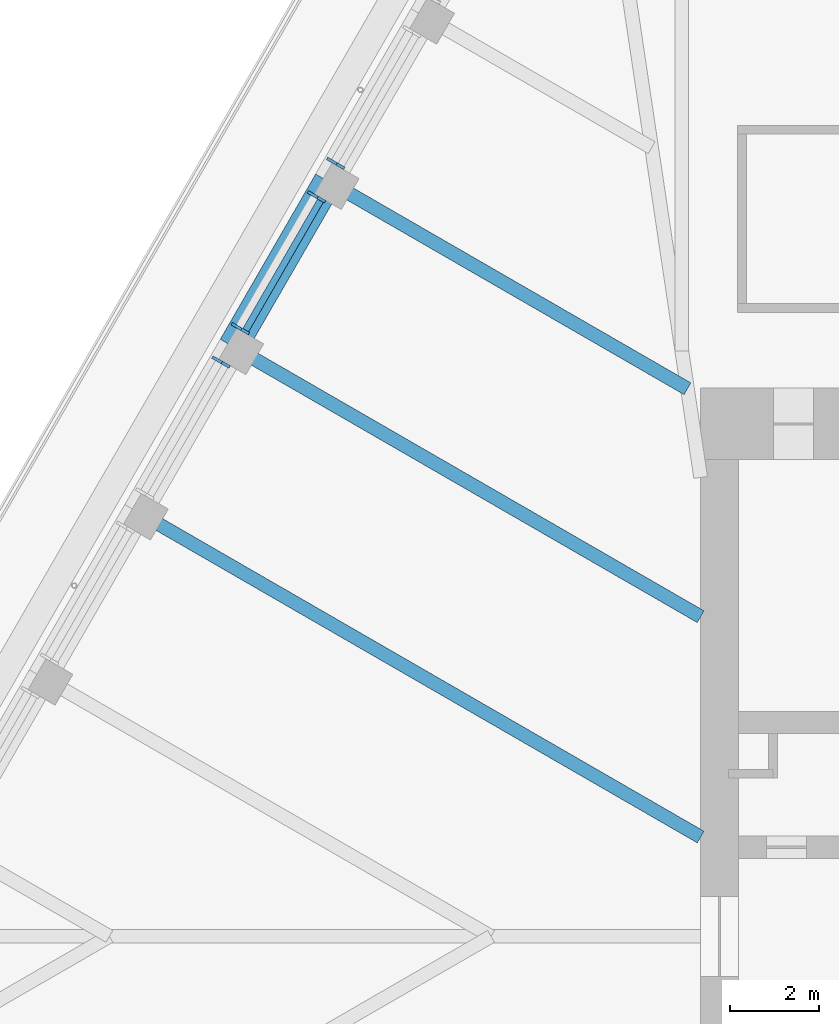
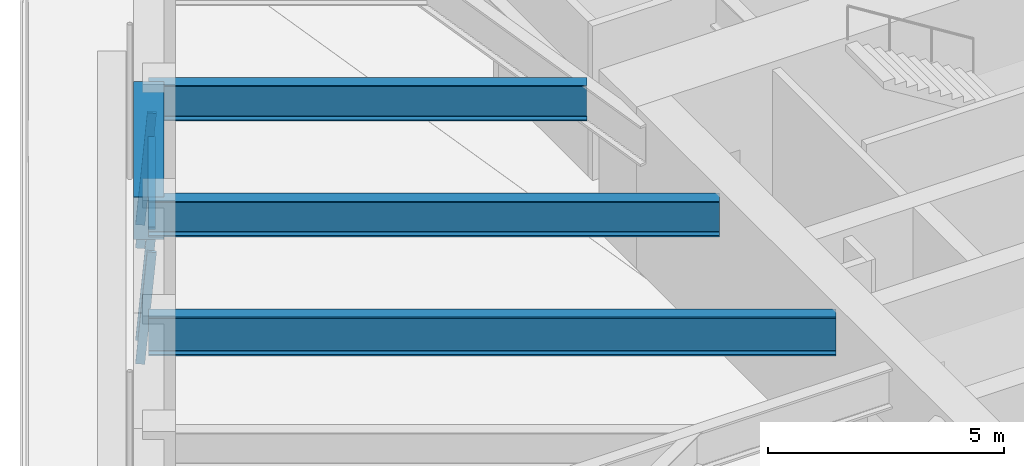
# One storey, part 7 of 19: 5 members, 4 beams, 3 elements without a shape of their own.
"""IFC4 building model written with IfcOpenShell, lengths in metres."""

from ifc_helpers import new_model, si_unit, direction, frame, origin, origin_2d, place, context, subcontext, project, spatial, rectangle, i_section, extrude, material, material_profile, profile_set, type_object, element, aggregate, save


model = new_model("IFC4")

# Units and contexts
model_context = context("Model", 3, precision=1e-05, world=origin(), true_north=direction((0.0, 1.0)))
body_context = subcontext(model_context, "Body", "Model", "MODEL_VIEW")
ifc_project = project(units=[si_unit("LENGTHUNIT", "METRE"), si_unit("AREAUNIT", "SQUARE_METRE"), si_unit("VOLUMEUNIT", "CUBIC_METRE"), si_unit("PLANEANGLEUNIT", "RADIAN"), si_unit("MASSUNIT", "GRAM", prefix="KILO")], contexts=[model_context])

# Site, building, storey
site_placement = place(None, origin())
site = spatial("IfcSite", under=ifc_project, at=site_placement, CompositionType="ELEMENT")
building_placement = place(site_placement, origin())
building = spatial("IfcBuilding", under=site, at=building_placement, Name="Tarfa Lantern Tower", CompositionType="ELEMENT")
storey_placement = place(building_placement, frame((0.0, 0.0, 374.5)))
storey = spatial("IfcBuildingStorey", under=building, at=storey_placement, Name="L85", CompositionType="ELEMENT", Elevation=374.5)

# Curtain wall, member
ifc_material_1 = material(Name="Aluminium framed curtain wall", Category="aluminium")
curtain_wall_type = type_object("IfcCurtainWallType", Name="CW4 CANTED GLAZING EXECUTIVE ZONE 2900", PredefinedType="USERDEFINED", material=ifc_material_1)
curtain_wall_1_placement = place(storey_placement, origin())
curtain_wall_1 = element("IfcCurtainWall", 1, at=curtain_wall_1_placement, inside=storey, type_object=curtain_wall_type, Name="CW4 NW L85", ObjectType="CURTAIN WALL", PredefinedType="USERDEFINED")
ifc_material_2 = material(Name="Aluminium mullion", Category="aluminium")
ifc_material_profile_1 = material_profile(ifc_material_2, rectangle(XDim=0.06494140625, YDim=0.199951171875, at=origin_2d()), Name="AL MULLION 65x200")
ifc_profile_set_1 = profile_set([ifc_material_profile_1], Name="Aluminium mullion")
member_type_1 = type_object("IfcMemberType", Name="CWM1 MULLION 65x200", PredefinedType="MULLION", material=ifc_profile_set_1)
member_1_placement = place(storey_placement, frame((-20.722412109375, 17.407958984375, 0.0), z_axis=(0.074399820079, -0.042945555672, 0.996303340364), x_axis=(0.499919672301, 0.866071776036, 0.0)))
member_1 = element("IfcMember", 2, at=member_1_placement, type_object=member_type_1, Name="CW4 mullion 2", PredefinedType="MULLION", context=body_context, shape_type="SweptSolid", body=[
    extrude(rectangle(XDim=0.06494140625, YDim=0.199951171875, at=origin_2d()), origin(), (0.0, 0.0, 1.0), 2.91064453125),
])
aggregate(curtain_wall_1, [member_1])

# Curtain wall, members
curtain_wall_2_placement = place(storey_placement, origin())
curtain_wall_2 = element("IfcCurtainWall", 3, at=curtain_wall_2_placement, inside=storey, type_object=curtain_wall_type, Name="CW4 NW L85", ObjectType="CURTAIN WALL", PredefinedType="USERDEFINED")
member_2_placement = place(storey_placement, frame((-21.15478515625, 16.65869140625, 0.0), z_axis=(0.074399820079, -0.042945555672, 0.996303340364), x_axis=(0.499919672301, 0.866071776036, 0.0)))
member_2 = element("IfcMember", 4, at=member_2_placement, type_object=member_type_1, Name="CW4 mullion 1", PredefinedType="MULLION", context=body_context, shape_type="SweptSolid", body=[
    extrude(rectangle(XDim=0.06494140625, YDim=0.199951171875, at=origin_2d()), origin(), (0.0, 0.0, 1.0), 2.91064453125),
])
member_3_placement = place(storey_placement, frame((-22.86328125, 13.699462890625, 0.0), z_axis=(0.074399820079, -0.042945555672, 0.996303340364), x_axis=(0.499919672301, 0.866071776036, 0.0)))
member_3 = element("IfcMember", 5, at=member_3_placement, type_object=member_type_1, Name="CW4 mullion 2", PredefinedType="MULLION", context=body_context, shape_type="SweptSolid", body=[
    extrude(rectangle(XDim=0.06494140625, YDim=0.199951171875, at=origin_2d()), origin(), (0.0, 0.0, 1.0), 2.91064453125),
])

# Curtain wall, member
curtain_wall_3_placement = place(storey_placement, origin())
curtain_wall_3 = element("IfcCurtainWall", 6, at=curtain_wall_3_placement, inside=storey, type_object=curtain_wall_type, Name="CW4 NW L85", ObjectType="CURTAIN WALL", PredefinedType="USERDEFINED")
member_4_placement = place(storey_placement, frame((-23.2958984375, 12.950439453125, 0.0), z_axis=(0.074399820079, -0.042945555672, 0.996303340364), x_axis=(0.499919672301, 0.866071776036, 0.0)))
member_4 = element("IfcMember", 7, at=member_4_placement, type_object=member_type_1, Name="CW4 mullion 1", PredefinedType="MULLION", context=body_context, shape_type="SweptSolid", body=[
    extrude(rectangle(XDim=0.06494140625, YDim=0.199951171875, at=origin_2d()), origin(), (0.0, 0.0, 1.0), 2.91064453125),
])
aggregate(curtain_wall_3, [member_4])

# Member
ifc_material_3 = material(Name="Aluminium transom", Category="aluminium")
ifc_material_profile_2 = material_profile(ifc_material_3, rectangle(XDim=0.14990234375, YDim=0.06494140625, at=origin_2d()), Name="AL TRANSOM 150x65")
ifc_profile_set_2 = profile_set([ifc_material_profile_2], Name="Aluminium transom")
member_type_2 = type_object("IfcMemberType", Name="CWT1 TRANSOM 150x65", PredefinedType="USERDEFINED", material=ifc_profile_set_2)
member_5_placement = place(storey_placement, frame((-20.95703125, 16.507080078125, 2.867431640625), z_axis=(-0.499985139611, -0.866033983264, 0.0), x_axis=(0.866033983264, -0.499985139611, 0.0)))
member_5 = element("IfcMember", 8, at=member_5_placement, type_object=member_type_2, Name="CW4 transom 1.2", ObjectType="TRANSOM", PredefinedType="USERDEFINED", context=body_context, shape_type="SweptSolid", body=[
    extrude(rectangle(XDim=0.14990234375, YDim=0.06494140625, at=origin_2d()), origin(), (0.0, 0.0, 1.0), 3.35205078125),
])

aggregate(curtain_wall_2, [member_2, member_3, member_5])

# Beams
ifc_material_4 = material(Name="Concrete C80/95", Category="concrete")
ifc_material_profile_3 = material_profile(ifc_material_4, rectangle(XDim=0.64990234375, YDim=1.10009765625, at=origin_2d()), Name="RC 650x1100")
ifc_profile_set_3 = profile_set([ifc_material_profile_3], Name="Concrete C80/95")
beam_type_1 = type_object("IfcBeamType", Name="EB4 RC 650x1100", PredefinedType="SPANDREL", material=ifc_profile_set_3)
beam_1_placement = place(storey_placement, frame((-20.78271484375, 16.943359375, 3.449951171875), z_axis=(-0.499984039138, -0.866034618596, 0.0), x_axis=(0.866034618596, -0.499984039138, 0.0)))
element("IfcBeam", 9, at=beam_1_placement, inside=storey, type_object=beam_type_1, Name="Edge beam NW2", PredefinedType="SPANDREL", context=body_context, shape_type="SweptSolid", body=[
    extrude(rectangle(XDim=0.64990234375, YDim=1.10009765625, at=origin_2d()), origin(), (0.0, 0.0, 1.0), 4.281982421875),
])
ifc_material_5 = material(Name="Steel S460M", Category="steel")
ifc_material_profile_4 = material_profile(ifc_material_5, i_section(OverallWidth=0.302001953125, OverallDepth=1.008056640625, WebThickness=0.02099609375, FlangeThickness=0.0400390625, FilletRadius=0.030029296875, at=origin_2d()), Name="UB1016x305x349")
ifc_profile_set_4 = profile_set([ifc_material_profile_4], Name="Steel S460M")
beam_type_2 = type_object("IfcBeamType", Name="UB1016x305x349", PredefinedType="BEAM", material=ifc_profile_set_4)
beam_2_placement = place(storey_placement, frame((-25.064697265625, 9.526611328125, 3.495849609375), z_axis=(0.866029591389, -0.499992746786, 0.0), x_axis=(0.499992746786, 0.866029591389, 0.0)))
element("IfcBeam", 10, at=beam_2_placement, inside=storey, type_object=beam_type_2, Name="Floor beam NW4", PredefinedType="BEAM", context=body_context, shape_type="SweptSolid", body=[
    extrude(i_section(OverallWidth=0.302001953125, OverallDepth=1.008056640625, WebThickness=0.02099609375, FlangeThickness=0.0400390625, FilletRadius=0.030029296875, at=origin_2d()), origin(), (0.0, 0.0, 1.0), 14.594970703125),
])
ifc_material_profile_5 = material_profile(ifc_material_5, i_section(OverallWidth=0.305419921875, OverallDepth=0.91845703125, WebThickness=0.017333984375, FlangeThickness=0.02783203125, FilletRadius=0.01904296875, at=origin_2d()), Name="UB914x305x253")
ifc_profile_set_5 = profile_set([ifc_material_profile_5], Name="Steel S460M")
beam_type_3 = type_object("IfcBeamType", Name="UB914x305x253", PredefinedType="BEAM", material=ifc_profile_set_5)
beam_3_placement = place(storey_placement, frame((-20.78271484375, 16.943359375, 3.540771484375), z_axis=(0.866021806508, -0.500006230613, 0.0), x_axis=(0.500006230613, 0.866021806508, 0.0)))
element("IfcBeam", 11, at=beam_3_placement, inside=storey, type_object=beam_type_3, Name="Floor beam NW2", PredefinedType="BEAM", context=body_context, shape_type="SweptSolid", body=[
    extrude(i_section(OverallWidth=0.305419921875, OverallDepth=0.91845703125, WebThickness=0.017333984375, FlangeThickness=0.02783203125, FilletRadius=0.01904296875, at=origin_2d()), origin(), (0.0, 0.0, 1.0), 9.30908203125),
])
beam_4_placement = place(storey_placement, frame((-22.923583984375, 13.235107421875, 3.540771484375), z_axis=(0.86601856927, -0.500011837539, 0.0), x_axis=(0.500011837539, 0.86601856927, 0.0)))
element("IfcBeam", 12, at=beam_4_placement, inside=storey, type_object=beam_type_3, Name="Floor beam NW3", PredefinedType="BEAM", context=body_context, shape_type="SweptSolid", body=[
    extrude(i_section(OverallWidth=0.305419921875, OverallDepth=0.91845703125, WebThickness=0.017333984375, FlangeThickness=0.02783203125, FilletRadius=0.01904296875, at=origin_2d()), origin(), (0.0, 0.0, 1.0), 12.122802734375),
])

save(model, "model.ifc")
